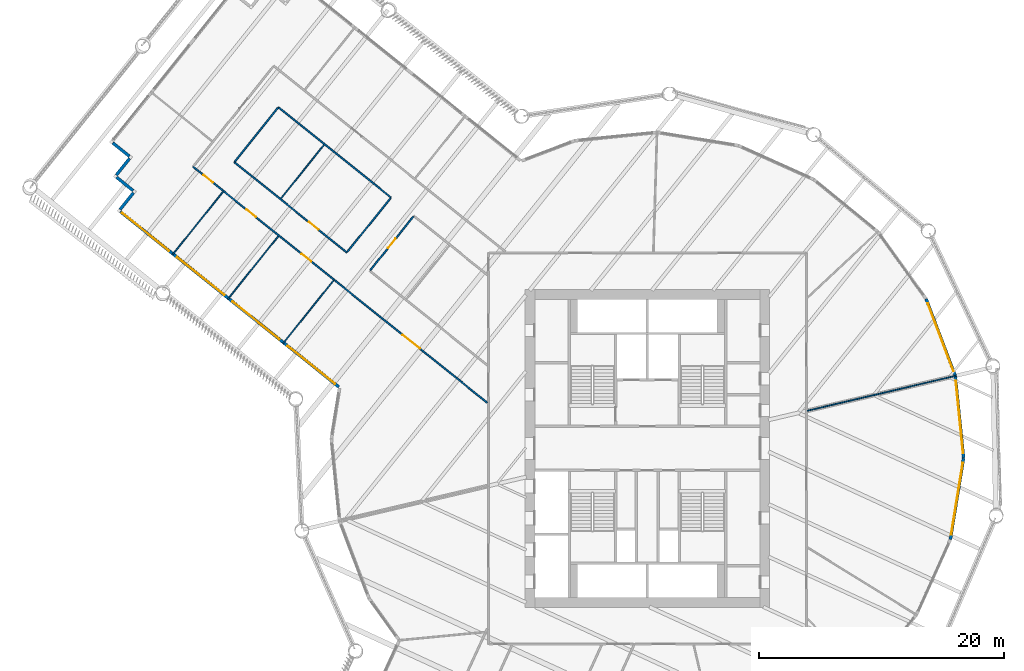
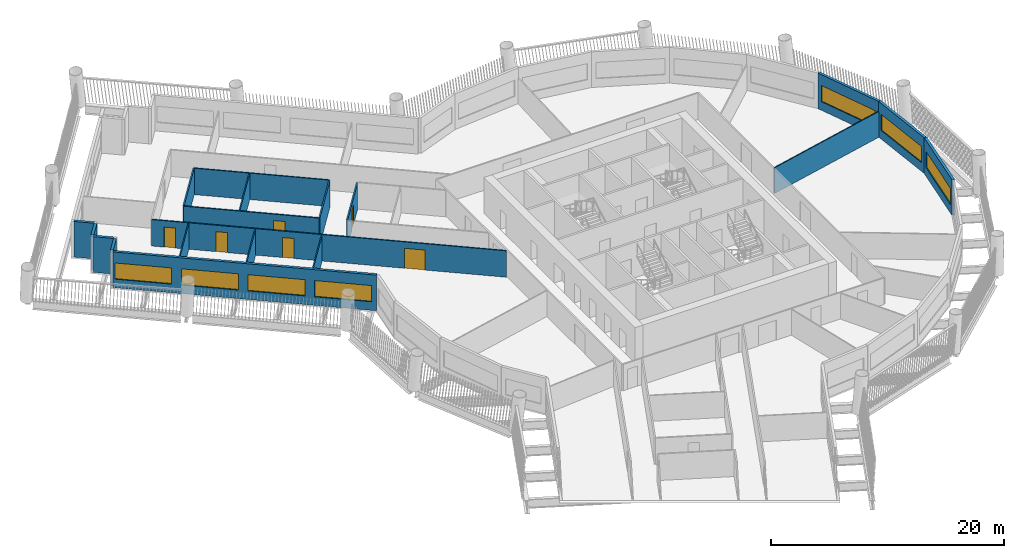
# One storey, part 6 of 16: 19 walls, 7 windows, 6 doors, 13 openings.
"""IFC4 building model written with IfcOpenShell, lengths in metres."""

from ifc_helpers import new_model, si_unit, direction, frame, frame_2d, origin, place, context, subcontext, project, spatial, rectangle, extrude, material, layer, layer_set, type_object, element, fill, save


model = new_model("IFC4")

# Units and contexts
model_context = context("Model", 3, precision=1e-05, world=origin(), true_north=direction((0.0, 1.0)))
body_context = subcontext(model_context, "Body", "Model", "MODEL_VIEW")
ifc_project = project(units=[si_unit("LENGTHUNIT", "METRE"), si_unit("AREAUNIT", "SQUARE_METRE"), si_unit("VOLUMEUNIT", "CUBIC_METRE"), si_unit("PLANEANGLEUNIT", "RADIAN"), si_unit("MASSUNIT", "GRAM", prefix="KILO")], contexts=[model_context])

# Site, building, storey
site_placement = place(None, origin())
site = spatial("IfcSite", under=ifc_project, at=site_placement, CompositionType="ELEMENT")
building_placement = place(site_placement, origin())
building = spatial("IfcBuilding", under=site, at=building_placement, Name="Tarsis Ring Headquarters", CompositionType="ELEMENT")
storey_placement = place(building_placement, frame((0.0, 0.0, 112.300048828125)))
storey = spatial("IfcBuildingStorey", under=building, at=storey_placement, Name="L25", CompositionType="ELEMENT", Elevation=112.300048828125)

# Walls
ifc_material_1 = material(Name="Gypsum board on steel studs", Category="steel")
ifc_layer_1 = layer(ifc_material_1, 0.10009765625)
ifc_layer_set_1 = layer_set([ifc_layer_1], Name="FL partition 100 unrated")
wall_type_1 = type_object("IfcWallType", Name="FL partition 100 unrated", PredefinedType="PARTITIONING", material=ifc_layer_set_1)
wall_1_placement = place(storey_placement, frame((13.068115234375, 3.07958984375, 0.0), z_axis=(0.0, 0.0, 1.0), x_axis=(0.97334040335, 0.229365340031, 0.0)))
element("IfcWall", 1, at=wall_1_placement, inside=storey, type_object=wall_type_1, Name="Partition PW3", PredefinedType="PARTITIONING", context=body_context, shape_type="SweptSolid", body=[
    extrude(rectangle(XDim=12.521728515625, YDim=0.10009765625, at=frame_2d((6.2607421875, 0.0))), origin(), (0.0, 0.0, 1.0), 2.699951171875),
])
for number, where, z_axis, x_axis, name in (
    (2, (-29.801513671875, 8.589111328125, 0.0), (0.0, 0.0, 1.0), (0.625781625079, 0.779998306225, 0.0), "Partition PW3"),
    (3, (-34.317626953125, 12.21240234375, 0.0), (0.0, 0.0, 1.0), (0.625781625079, 0.779998306225, 0.0), "Partition PW3"),
):
    element("IfcWall", number, at=place(storey_placement, frame(where, z_axis=z_axis, x_axis=x_axis)), inside=storey, type_object=wall_type_1, Name=name, PredefinedType="PARTITIONING", context=body_context, shape_type="SweptSolid", body=[
        extrude(rectangle(XDim=6.599853515625, YDim=0.10009765625, at=frame_2d((3.2998046875, 0.0))), origin(), (0.0, 0.0, 1.0), 2.699951171875),
    ])
wall_2_placement = place(storey_placement, frame((-38.841796875, 15.842041015625, 0.0), z_axis=(0.0, 0.0, 1.0), x_axis=(0.625804129699, 0.779980250552, 0.0)))
element("IfcWall", 4, at=wall_2_placement, inside=storey, type_object=wall_type_1, Name="Partition PW3", PredefinedType="PARTITIONING", context=body_context, shape_type="SweptSolid", body=[
    extrude(rectangle(XDim=6.60009765625, YDim=0.10009765625, at=frame_2d((3.300048828125, 0.0))), origin(), (0.0, 0.0, 1.0), 2.699951171875),
])
wall_3_placement = place(storey_placement, frame((-29.970703125, 20.443115234375, 0.0), z_axis=(0.0, 0.0, 1.0), x_axis=(0.625801695555, 0.779982203541, 0.0)))
element("IfcWall", 5, at=wall_3_placement, inside=storey, type_object=wall_type_1, Name="Partition PW3", PredefinedType="PARTITIONING", context=body_context, shape_type="SweptSolid", body=[
    extrude(rectangle(XDim=5.61962890625, YDim=0.10009765625, at=frame_2d((2.809814453125, 0.0))), origin(), (0.0, 0.0, 1.0), 2.699951171875),
])

# Wall, openings, doors
ifc_layer_2 = layer(ifc_material_1, 0.125)
ifc_layer_set_2 = layer_set([ifc_layer_2], Name="FL partition 125 EI 60 H2770")
wall_type_2 = type_object("IfcWallType", Name="FL partition 125 EI 60 H2770", PredefinedType="PARTITIONING", material=ifc_layer_set_2)
wall_4_placement = place(storey_placement, frame((-37.163818359375, 23.047119140625, 0.0), z_axis=(0.0, 0.0, 1.0), x_axis=(0.779994325581, -0.625786586675, 0.0)))
wall_4 = element("IfcWall", 6, at=wall_4_placement, inside=storey, type_object=wall_type_2, Name="Partition PW1", PredefinedType="PARTITIONING", context=body_context, shape_type="SweptSolid", body=[
    extrude(rectangle(XDim=30.859619140625, YDim=0.125, at=frame_2d((15.4296875, 0.0))), origin(), (0.0, 0.0, 1.0), 2.77001953125),
])
opening_1_placement = place(wall_4_placement, frame((1.1015625, 0.0, 0.0)))
opening_1 = element("IfcOpeningElement", 7, at=opening_1_placement, cuts=wall_4, Name="Opening D25.01", PredefinedType="OPENING", context=body_context, shape_type="SweptSolid", body=[
    extrude(rectangle(XDim=1.0, YDim=2.10009765625, at=frame_2d((0.5, 1.050048828125))), frame((0.0, 0.072509765625, 0.0), z_axis=(0.0, -1.0, 0.0), x_axis=(1.0, 0.0, 0.0)), (0.0, 0.0, 1.0), 0.14501953125),
])
opening_2_placement = place(wall_4_placement, frame((21.984130859375, 0.0, 0.0)))
opening_2 = element("IfcOpeningElement", 8, at=opening_2_placement, cuts=wall_4, Name="Opening D25.16", PredefinedType="OPENING", context=body_context, shape_type="SweptSolid", body=[
    extrude(rectangle(XDim=1.800048828125, YDim=2.10009765625, at=frame_2d((0.89990234375, 1.050048828125))), frame((0.0, 0.072509765625, 0.0), z_axis=(0.0, -1.0, 0.0), x_axis=(1.0, 0.0, 0.0)), (0.0, 0.0, 1.0), 0.14501953125),
])
opening_3_placement = place(wall_4_placement, frame((11.392578125, 0.0, 0.0)))
opening_3 = element("IfcOpeningElement", 9, at=opening_3_placement, cuts=wall_4, Name="Opening D25.17", PredefinedType="OPENING", context=body_context, shape_type="SweptSolid", body=[
    extrude(rectangle(XDim=1.0, YDim=2.10009765625, at=frame_2d((0.5, 1.050048828125))), frame((0.0, 0.072509765625, 0.0), z_axis=(0.0, -1.0, 0.0), x_axis=(1.0, 0.0, 0.0)), (0.0, 0.0, 1.0), 0.14501953125),
])
opening_4_placement = place(wall_4_placement, frame((5.599609375, 0.0, 0.0)))
opening_4 = element("IfcOpeningElement", 10, at=opening_4_placement, cuts=wall_4, Name="Opening D25.18", PredefinedType="OPENING", context=body_context, shape_type="SweptSolid", body=[
    extrude(rectangle(XDim=1.0, YDim=2.10009765625, at=frame_2d((0.5, 1.050048828125))), frame((0.0, 0.072509765625, 0.0), z_axis=(0.0, -1.0, 0.0), x_axis=(1.0, 0.0, 0.0)), (0.0, 0.0, 1.0), 0.14501953125),
])
ifc_material_2 = material(Name="Fire-rated timber door leaf in steel frame", Category="steel")
door_type_1 = type_object("IfcDoorType", Name="FL door FD60-1000", OperationType="NOTDEFINED", PredefinedType="DOOR", material=ifc_material_2)
door_1_placement = place(opening_1_placement, origin())
door_1 = element("IfcDoor", 11, at=door_1_placement, inside=storey, type_object=door_type_1, Name="Door D25.01", OperationType="SINGLE_SWING_RIGHT", OverallHeight=2.10009765625, OverallWidth=1.0, PredefinedType="DOOR", context=body_context, shape_type="SweptSolid", body=[
    extrude(rectangle(XDim=1.0, YDim=2.10009765625, at=frame_2d((0.5, 1.050048828125))), frame((0.0, 0.02490234375, 0.0), z_axis=(0.0, -1.0, 0.0), x_axis=(1.0, 0.0, 0.0)), (0.0, 0.0, 1.0), 0.050048828125),
])
fill(opening_1, door_1)
door_2_placement = place(opening_3_placement, origin())
door_2 = element("IfcDoor", 12, at=door_2_placement, inside=storey, type_object=door_type_1, Name="Door D25.17", OperationType="SINGLE_SWING_RIGHT", OverallHeight=2.10009765625, OverallWidth=1.0, PredefinedType="DOOR", context=body_context, shape_type="SweptSolid", body=[
    extrude(rectangle(XDim=1.0, YDim=2.10009765625, at=frame_2d((0.5, 1.050048828125))), frame((0.0, 0.02490234375, 0.0), z_axis=(0.0, -1.0, 0.0), x_axis=(1.0, 0.0, 0.0)), (0.0, 0.0, 1.0), 0.050048828125),
])
fill(opening_3, door_2)
door_3_placement = place(opening_4_placement, origin())
door_3 = element("IfcDoor", 13, at=door_3_placement, inside=storey, type_object=door_type_1, Name="Door D25.18", OperationType="SINGLE_SWING_LEFT", OverallHeight=2.10009765625, OverallWidth=1.0, PredefinedType="DOOR", context=body_context, shape_type="SweptSolid", body=[
    extrude(rectangle(XDim=1.0, YDim=2.10009765625, at=frame_2d((0.5, 1.050048828125))), frame((0.0, 0.02490234375, 0.0), z_axis=(0.0, -1.0, 0.0), x_axis=(1.0, 0.0, 0.0)), (0.0, 0.0, 1.0), 0.050048828125),
])
fill(opening_4, door_3)
door_type_2 = type_object("IfcDoorType", Name="FL door FD60-1800", OperationType="DOUBLE_DOOR_SINGLE_SWING", PredefinedType="DOOR", material=ifc_material_2)
door_4_placement = place(opening_2_placement, origin())
door_4 = element("IfcDoor", 14, at=door_4_placement, inside=storey, type_object=door_type_2, Name="Door D25.16", OperationType="DOUBLE_DOOR_SINGLE_SWING", OverallHeight=2.10009765625, OverallWidth=1.800048828125, PredefinedType="DOOR", context=body_context, shape_type="SweptSolid", body=[
    extrude(rectangle(XDim=1.800048828125, YDim=2.10009765625, at=frame_2d((0.89990234375, 1.050048828125))), frame((0.0, 0.02490234375, 0.0), z_axis=(0.0, -1.0, 0.0), x_axis=(1.0, 0.0, 0.0)), (0.0, 0.0, 1.0), 0.050048828125),
])
fill(opening_2, door_4)

# Wall, opening, door
wall_5_placement = place(storey_placement, frame((-33.789794921875, 23.417236328125, 0.0), z_axis=(0.0, 0.0, 1.0), x_axis=(0.77998870436, -0.625793593024, 0.0)))
wall_5 = element("IfcWall", 15, at=wall_5_placement, inside=storey, type_object=wall_type_2, Name="Partition PW1", PredefinedType="PARTITIONING", context=body_context, shape_type="SweptSolid", body=[
    extrude(rectangle(XDim=11.81005859375, YDim=0.125, at=frame_2d((5.905029296875, 0.0))), origin(), (0.0, 0.0, 1.0), 2.77001953125),
])
opening_5_placement = place(wall_5_placement, frame((7.825927734375, 0.0, 0.0)))
opening_5 = element("IfcOpeningElement", 16, at=opening_5_placement, cuts=wall_5, Name="Opening D25.24", PredefinedType="OPENING", context=body_context, shape_type="SweptSolid", body=[
    extrude(rectangle(XDim=1.0, YDim=2.10009765625, at=frame_2d((0.5, 1.050048828125))), frame((0.0, 0.072509765625, 0.0), z_axis=(0.0, -1.0, 0.0), x_axis=(1.0, 0.0, 0.0)), (0.0, 0.0, 1.0), 0.14501953125),
])
door_5_placement = place(opening_5_placement, origin())
door_5 = element("IfcDoor", 17, at=door_5_placement, inside=storey, type_object=door_type_1, Name="Door D25.24", OperationType="SINGLE_SWING_LEFT", OverallHeight=2.10009765625, OverallWidth=1.0, PredefinedType="DOOR", context=body_context, shape_type="SweptSolid", body=[
    extrude(rectangle(XDim=1.0, YDim=2.10009765625, at=frame_2d((0.5, 1.050048828125))), frame((0.0, 0.02490234375, 0.0), z_axis=(0.0, -1.0, 0.0), x_axis=(1.0, 0.0, 0.0)), (0.0, 0.0, 1.0), 0.050048828125),
])
fill(opening_5, door_5)

# Walls
wall_6_placement = place(storey_placement, frame((-30.185302734375, 27.909912109375, 0.0), z_axis=(0.0, 0.0, 1.0), x_axis=(0.779996799824, -0.62578350271, 0.0)))
element("IfcWall", 18, at=wall_6_placement, inside=storey, type_object=wall_type_2, Name="Partition PW1", PredefinedType="PARTITIONING", context=body_context, shape_type="SweptSolid", body=[
    extrude(rectangle(XDim=11.810302734375, YDim=0.125, at=frame_2d((5.9052734375, 0.0))), origin(), (0.0, 0.0, 1.0), 2.77001953125),
])
wall_7_placement = place(storey_placement, frame((-33.752197265625, 23.464111328125, 0.0), z_axis=(0.0, 0.0, 1.0), x_axis=(0.625792504131, 0.77998957799, 0.0)))
element("IfcWall", 19, at=wall_7_placement, inside=storey, type_object=wall_type_2, Name="Partition PW1", PredefinedType="PARTITIONING", context=body_context, shape_type="SweptSolid", body=[
    extrude(rectangle(XDim=5.6396484375, YDim=0.125, at=frame_2d((2.81982421875, 0.0))), origin(), (0.0, 0.0, 1.0), 2.77001953125),
])
wall_8_placement = place(storey_placement, frame((-24.54052734375, 16.073486328125, 0.0), z_axis=(0.0, 0.0, 1.0), x_axis=(0.625797710315, 0.779985400994, 0.0)))
element("IfcWall", 20, at=wall_8_placement, inside=storey, type_object=wall_type_2, Name="Partition PW1", PredefinedType="PARTITIONING", context=body_context, shape_type="SweptSolid", body=[
    extrude(rectangle(XDim=5.64013671875, YDim=0.125, at=frame_2d((2.820068359375, 0.0))), origin(), (0.0, 0.0, 1.0), 2.77001953125),
])

# Wall, opening, door
wall_9_placement = place(storey_placement, frame((-22.668701171875, 14.571533203125, 0.0), z_axis=(0.0, 0.0, 1.0), x_axis=(0.625797710315, 0.779985400994, 0.0)))
wall_9 = element("IfcWall", 21, at=wall_9_placement, inside=storey, type_object=wall_type_2, Name="Partition PW1", PredefinedType="PARTITIONING", context=body_context, shape_type="SweptSolid", body=[
    extrude(rectangle(XDim=5.64013671875, YDim=0.125, at=frame_2d((2.820068359375, 0.0))), origin(), (0.0, 0.0, 1.0), 2.77001953125),
])
opening_6_placement = place(wall_9_placement, frame((2.320068359375, 0.0, 0.0)))
opening_6 = element("IfcOpeningElement", 22, at=opening_6_placement, cuts=wall_9, Name="Opening D25.20", PredefinedType="OPENING", context=body_context, shape_type="SweptSolid", body=[
    extrude(rectangle(XDim=1.0, YDim=2.10009765625, at=frame_2d((0.5, 1.050048828125))), frame((0.0, 0.072509765625, 0.0), z_axis=(0.0, -1.0, 0.0), x_axis=(1.0, 0.0, 0.0)), (0.0, 0.0, 1.0), 0.14501953125),
])
door_6_placement = place(opening_6_placement, origin())
door_6 = element("IfcDoor", 23, at=door_6_placement, inside=storey, type_object=door_type_1, Name="Door D25.20", OperationType="SINGLE_SWING_LEFT", OverallHeight=2.10009765625, OverallWidth=1.0, PredefinedType="DOOR", context=body_context, shape_type="SweptSolid", body=[
    extrude(rectangle(XDim=1.0, YDim=2.10009765625, at=frame_2d((0.5, 1.050048828125))), frame((0.0, 0.02490234375, 0.0), z_axis=(0.0, -1.0, 0.0), x_axis=(1.0, 0.0, 0.0)), (0.0, 0.0, 1.0), 0.050048828125),
])
fill(opening_6, door_6)

# Wall, openings, windows
ifc_material_3 = material(Name="Terracotta clad insulated panel wall", Category="masonry")
ifc_layer_3 = layer(ifc_material_3, 0.25)
ifc_layer_set_3 = layer_set([ifc_layer_3], Name="Facade wall terracotta panel 250")
wall_type_3 = type_object("IfcWallType", Name="Facade wall terracotta panel 250", PredefinedType="STANDARD", material=ifc_layer_set_3)
wall_10_placement = place(storey_placement, frame((-43.115966796875, 19.367431640625, 0.0), z_axis=(0.0, 0.0, 1.0), x_axis=(0.779992076105, -0.62578939046, 0.0)))
wall_10 = element("IfcWall", 24, at=wall_10_placement, inside=storey, type_object=wall_type_3, Name="External wall L25-01", PredefinedType="STANDARD", context=body_context, shape_type="SweptSolid", body=[
    extrude(rectangle(XDim=22.922119140625, YDim=0.25, at=frame_2d((11.4609375, 0.0))), origin(), (0.0, 0.0, 1.0), 3.739990234375),
])
opening_7_placement = place(wall_10_placement, frame((0.17138671875, 0.0, 0.89990234375)))
opening_7 = element("IfcOpeningElement", 25, at=opening_7_placement, cuts=wall_10, Name="Opening WN05", PredefinedType="OPENING", context=body_context, shape_type="SweptSolid", body=[
    extrude(rectangle(XDim=4.949951171875, YDim=1.699951171875, at=frame_2d((2.47509765625, 0.85009765625))), frame((0.0, 0.135009765625, 0.0), z_axis=(0.0, -1.0, 0.0), x_axis=(1.0, 0.0, 0.0)), (0.0, 0.0, 1.0), 0.27001953125),
])
opening_8_placement = place(wall_10_placement, frame((5.964599609375, 0.0, 0.89990234375)))
opening_8 = element("IfcOpeningElement", 26, at=opening_8_placement, cuts=wall_10, Name="Opening WN05", PredefinedType="OPENING", context=body_context, shape_type="SweptSolid", body=[
    extrude(rectangle(XDim=4.949951171875, YDim=1.699951171875, at=frame_2d((2.47509765625, 0.85009765625))), frame((0.0, 0.135009765625, 0.0), z_axis=(0.0, -1.0, 0.0), x_axis=(1.0, 0.0, 0.0)), (0.0, 0.0, 1.0), 0.27001953125),
])
opening_9_placement = place(wall_10_placement, frame((11.757568359375, 0.0, 0.89990234375)))
opening_9 = element("IfcOpeningElement", 27, at=opening_9_placement, cuts=wall_10, Name="Opening WN05", PredefinedType="OPENING", context=body_context, shape_type="SweptSolid", body=[
    extrude(rectangle(XDim=4.949951171875, YDim=1.699951171875, at=frame_2d((2.47509765625, 0.85009765625))), frame((0.0, 0.135009765625, 0.0), z_axis=(0.0, -1.0, 0.0), x_axis=(1.0, 0.0, 0.0)), (0.0, 0.0, 1.0), 0.27001953125),
])
opening_10_placement = place(wall_10_placement, frame((17.550537109375, 0.0, 0.89990234375)))
opening_10 = element("IfcOpeningElement", 28, at=opening_10_placement, cuts=wall_10, Name="Opening WN05", PredefinedType="OPENING", context=body_context, shape_type="SweptSolid", body=[
    extrude(rectangle(XDim=4.949951171875, YDim=1.699951171875, at=frame_2d((2.47509765625, 0.85009765625))), frame((0.0, 0.135009765625, 0.0), z_axis=(0.0, -1.0, 0.0), x_axis=(1.0, 0.0, 0.0)), (0.0, 0.0, 1.0), 0.27001953125),
])
ifc_material_4 = material(Name="Aluminium framed double glazing", Category="aluminium")
window_type_1 = type_object("IfcWindowType", Name="Facade window 4950 x 1700", PartitioningType="SINGLE_PANEL", PredefinedType="WINDOW", material=ifc_material_4)
window_1_placement = place(opening_7_placement, origin())
window_1 = element("IfcWindow", 29, at=window_1_placement, inside=storey, type_object=window_type_1, Name="Window L25-01.1", OverallHeight=1.699951171875, OverallWidth=4.949951171875, PartitioningType="SINGLE_PANEL", PredefinedType="WINDOW", context=body_context, shape_type="SweptSolid", body=[
    extrude(rectangle(XDim=4.949951171875, YDim=1.699951171875, at=frame_2d((2.47509765625, 0.85009765625))), frame((0.0, 0.030029296875, 0.0), z_axis=(0.0, -1.0, 0.0), x_axis=(1.0, 0.0, 0.0)), (0.0, 0.0, 1.0), 0.06005859375),
])
fill(opening_7, window_1)
window_2_placement = place(opening_8_placement, origin())
window_2 = element("IfcWindow", 30, at=window_2_placement, inside=storey, type_object=window_type_1, Name="Window L25-01.2", OverallHeight=1.699951171875, OverallWidth=4.949951171875, PartitioningType="SINGLE_PANEL", PredefinedType="WINDOW", context=body_context, shape_type="SweptSolid", body=[
    extrude(rectangle(XDim=4.949951171875, YDim=1.699951171875, at=frame_2d((2.47509765625, 0.85009765625))), frame((0.0, 0.030029296875, 0.0), z_axis=(0.0, -1.0, 0.0), x_axis=(1.0, 0.0, 0.0)), (0.0, 0.0, 1.0), 0.06005859375),
])
fill(opening_8, window_2)
window_3_placement = place(opening_9_placement, origin())
window_3 = element("IfcWindow", 31, at=window_3_placement, inside=storey, type_object=window_type_1, Name="Window L25-01.3", OverallHeight=1.699951171875, OverallWidth=4.949951171875, PartitioningType="SINGLE_PANEL", PredefinedType="WINDOW", context=body_context, shape_type="SweptSolid", body=[
    extrude(rectangle(XDim=4.949951171875, YDim=1.699951171875, at=frame_2d((2.47509765625, 0.85009765625))), frame((0.0, 0.030029296875, 0.0), z_axis=(0.0, -1.0, 0.0), x_axis=(1.0, 0.0, 0.0)), (0.0, 0.0, 1.0), 0.06005859375),
])
fill(opening_9, window_3)
window_4_placement = place(opening_10_placement, origin())
window_4 = element("IfcWindow", 32, at=window_4_placement, inside=storey, type_object=window_type_1, Name="Window L25-01.4", OverallHeight=1.699951171875, OverallWidth=4.949951171875, PartitioningType="SINGLE_PANEL", PredefinedType="WINDOW", context=body_context, shape_type="SweptSolid", body=[
    extrude(rectangle(XDim=4.949951171875, YDim=1.699951171875, at=frame_2d((2.47509765625, 0.85009765625))), frame((0.0, 0.030029296875, 0.0), z_axis=(0.0, -1.0, 0.0), x_axis=(1.0, 0.0, 0.0)), (0.0, 0.0, 1.0), 0.06005859375),
])
fill(opening_10, window_4)

# Wall, opening, window
wall_11_placement = place(storey_placement, frame((24.780029296875, -7.436279296875, 0.0), z_axis=(0.0, 0.0, 1.0), x_axis=(0.160580968117, 0.987022670803, 0.0)))
wall_11 = element("IfcWall", 33, at=wall_11_placement, inside=storey, type_object=wall_type_3, Name="External wall L25-22", PredefinedType="STANDARD", context=body_context, shape_type="SweptSolid", body=[
    extrude(rectangle(XDim=6.721435546875, YDim=0.25, at=frame_2d((3.36083984375, 0.0))), origin(), (0.0, 0.0, 1.0), 3.739990234375),
])
opening_11_placement = place(wall_11_placement, frame((0.3857421875, 0.0, 0.89990234375)))
opening_11 = element("IfcOpeningElement", 34, at=opening_11_placement, cuts=wall_11, Name="Opening WN07", PredefinedType="OPENING", context=body_context, shape_type="SweptSolid", body=[
    extrude(rectangle(XDim=5.949951171875, YDim=1.699951171875, at=frame_2d((2.97509765625, 0.85009765625))), frame((0.0, 0.135009765625, 0.0), z_axis=(0.0, -1.0, 0.0), x_axis=(1.0, 0.0, 0.0)), (0.0, 0.0, 1.0), 0.27001953125),
])
window_type_2 = type_object("IfcWindowType", Name="Facade window 5950 x 1700", PartitioningType="SINGLE_PANEL", PredefinedType="WINDOW", material=ifc_material_4)
window_5_placement = place(opening_11_placement, origin())
window_5 = element("IfcWindow", 35, at=window_5_placement, inside=storey, type_object=window_type_2, Name="Window L25-22.1", OverallHeight=1.699951171875, OverallWidth=5.949951171875, PartitioningType="SINGLE_PANEL", PredefinedType="WINDOW", context=body_context, shape_type="SweptSolid", body=[
    extrude(rectangle(XDim=5.949951171875, YDim=1.699951171875, at=frame_2d((2.97509765625, 0.85009765625))), frame((0.0, 0.030029296875, 0.0), z_axis=(0.0, -1.0, 0.0), x_axis=(1.0, 0.0, 0.0)), (0.0, 0.0, 1.0), 0.06005859375),
])
fill(opening_11, window_5)

wall_12_placement = place(storey_placement, frame((25.8603515625, -0.769287109375, 0.0), z_axis=(0.0, 0.0, 1.0), x_axis=(-0.100355976317, 0.994951595816, 0.0)))
wall_12 = element("IfcWall", 36, at=wall_12_placement, inside=storey, type_object=wall_type_3, Name="External wall L25-23", PredefinedType="STANDARD", context=body_context, shape_type="SweptSolid", body=[
    extrude(rectangle(XDim=6.7216796875, YDim=0.25, at=frame_2d((3.36083984375, 0.0))), origin(), (0.0, 0.0, 1.0), 3.739990234375),
])
opening_12_placement = place(wall_12_placement, frame((0.3857421875, 0.0, 0.89990234375)))
opening_12 = element("IfcOpeningElement", 37, at=opening_12_placement, cuts=wall_12, Name="Opening WN07", PredefinedType="OPENING", context=body_context, shape_type="SweptSolid", body=[
    extrude(rectangle(XDim=5.949951171875, YDim=1.699951171875, at=frame_2d((2.97509765625, 0.85009765625))), frame((0.0, 0.135009765625, 0.0), z_axis=(0.0, -1.0, 0.0), x_axis=(1.0, 0.0, 0.0)), (0.0, 0.0, 1.0), 0.27001953125),
])
window_6_placement = place(opening_12_placement, origin())
window_6 = element("IfcWindow", 38, at=window_6_placement, inside=storey, type_object=window_type_2, Name="Window L25-23.1", OverallHeight=1.699951171875, OverallWidth=5.949951171875, PartitioningType="SINGLE_PANEL", PredefinedType="WINDOW", context=body_context, shape_type="SweptSolid", body=[
    extrude(rectangle(XDim=5.949951171875, YDim=1.699951171875, at=frame_2d((2.97509765625, 0.85009765625))), frame((0.0, 0.030029296875, 0.0), z_axis=(0.0, -1.0, 0.0), x_axis=(1.0, 0.0, 0.0)), (0.0, 0.0, 1.0), 0.06005859375),
])
fill(opening_12, window_6)

wall_13_placement = place(storey_placement, frame((25.17822265625, 5.9501953125, 0.0), z_axis=(0.0, 0.0, 1.0), x_axis=(-0.354445081718, 0.935076833231, 0.0)))
wall_13 = element("IfcWall", 39, at=wall_13_placement, inside=storey, type_object=wall_type_3, Name="External wall L25-24", PredefinedType="STANDARD", context=body_context, shape_type="SweptSolid", body=[
    extrude(rectangle(XDim=6.72119140625, YDim=0.25, at=frame_2d((3.360595703125, 0.0))), origin(), (0.0, 0.0, 1.0), 3.739990234375),
])
opening_13_placement = place(wall_13_placement, frame((0.3857421875, 0.0, 0.89990234375)))
opening_13 = element("IfcOpeningElement", 40, at=opening_13_placement, cuts=wall_13, Name="Opening WN07", PredefinedType="OPENING", context=body_context, shape_type="SweptSolid", body=[
    extrude(rectangle(XDim=5.949951171875, YDim=1.699951171875, at=frame_2d((2.97509765625, 0.85009765625))), frame((0.0, 0.135009765625, 0.0), z_axis=(0.0, -1.0, 0.0), x_axis=(1.0, 0.0, 0.0)), (0.0, 0.0, 1.0), 0.27001953125),
])
window_7_placement = place(opening_13_placement, origin())
window_7 = element("IfcWindow", 41, at=window_7_placement, inside=storey, type_object=window_type_2, Name="Window L25-24.1", OverallHeight=1.699951171875, OverallWidth=5.949951171875, PartitioningType="SINGLE_PANEL", PredefinedType="WINDOW", context=body_context, shape_type="SweptSolid", body=[
    extrude(rectangle(XDim=5.949951171875, YDim=1.699951171875, at=frame_2d((2.97509765625, 0.85009765625))), frame((0.0, 0.030029296875, 0.0), z_axis=(0.0, -1.0, 0.0), x_axis=(1.0, 0.0, 0.0)), (0.0, 0.0, 1.0), 0.06005859375),
])
fill(opening_13, window_7)

# Walls
for number, where, z_axis, x_axis, name in (
    (42, (-43.732666015625, 24.990478515625, 0.0), (0.0, 0.0, 1.0), (0.779969729196, -0.625817242921, 0.0), "External wall L25-37"),
    (43, (-42.348388671875, 23.7197265625, 0.0), (0.0, 0.0, 1.0), (-0.625817242921, -0.779969729196, 0.0), "External wall L25-38"),
    (44, (-43.42431640625, 22.178955078125, 0.0), (0.0, 0.0, 1.0), (0.779969729196, -0.625817242921, 0.0), "External wall L25-39"),
    (45, (-42.0400390625, 20.907958984375, 0.0), (0.0, 0.0, 1.0), (-0.625817242921, -0.779969729196, 0.0), "External wall L25-40"),
):
    element("IfcWall", number, at=place(storey_placement, frame(where, z_axis=z_axis, x_axis=x_axis)), inside=storey, type_object=wall_type_3, Name=name, PredefinedType="STANDARD", context=body_context, shape_type="SweptSolid", body=[
        extrude(rectangle(XDim=1.75, YDim=0.25, at=frame_2d((0.875, 0.0))), origin(), (0.0, 0.0, 1.0), 3.739990234375),
    ])

save(model, "model.ifc")
